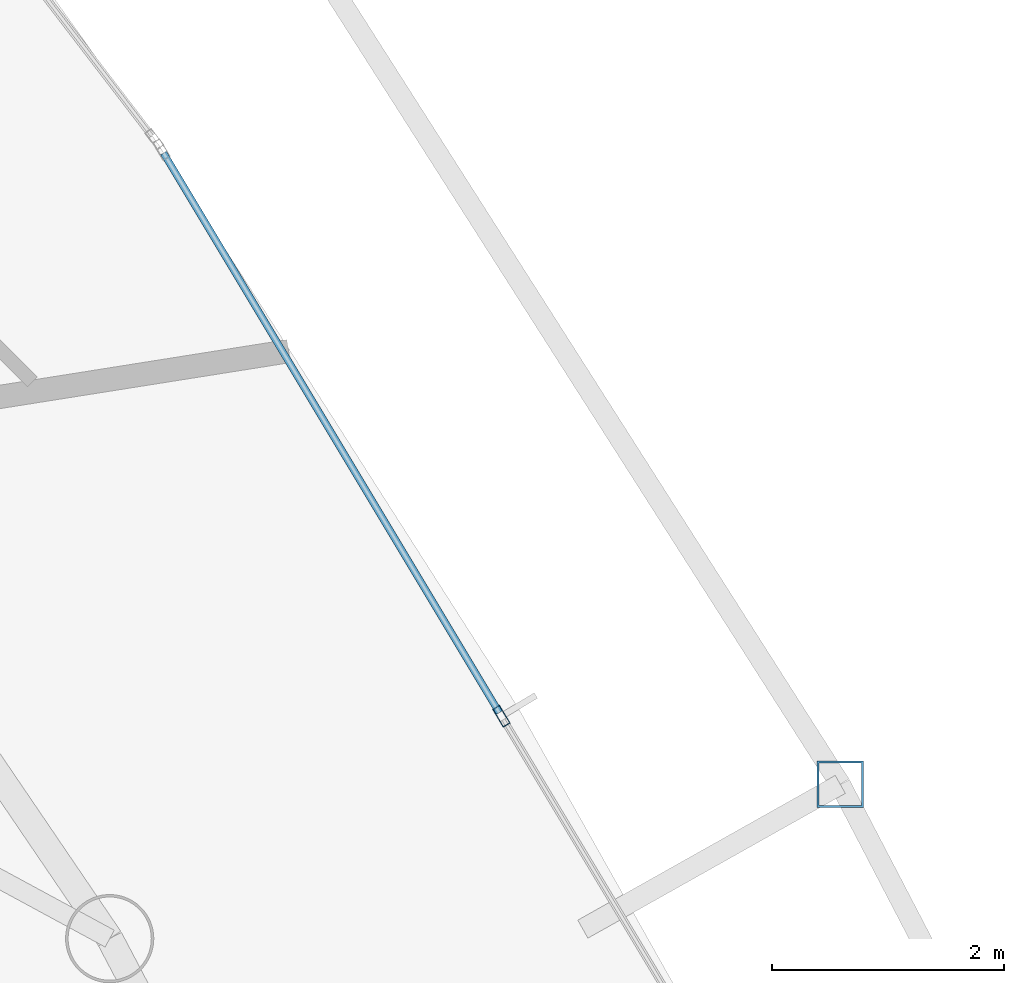
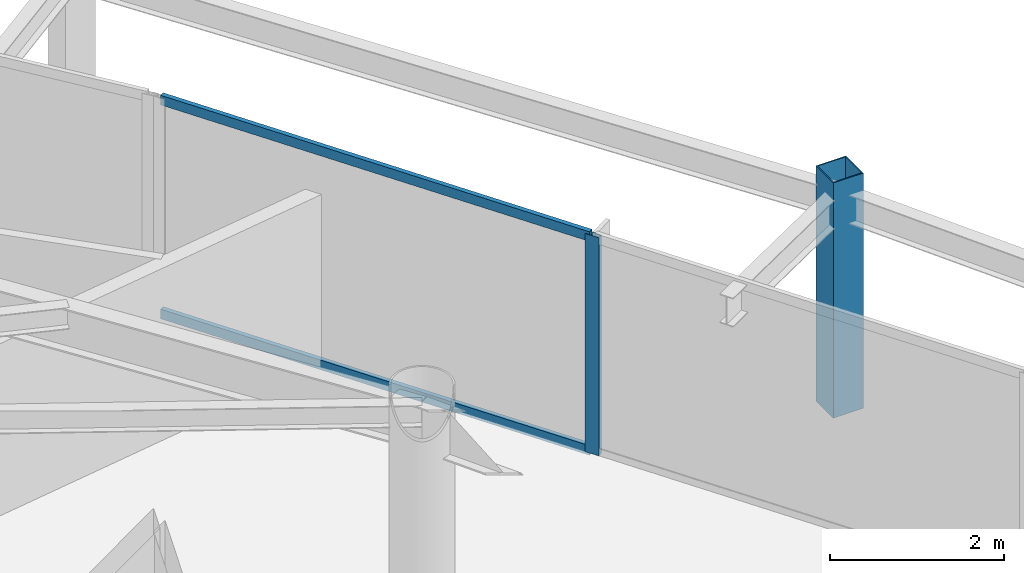
# One storey, part 18 of 33: 4 members, 1 element without a shape of its own.
"""IFC4 building model written with IfcOpenShell, lengths in metres."""

from ifc_helpers import new_model, si_unit, direction, frame, origin, origin_2d, place, context, subcontext, project, spatial, hollow_rectangle, extrude, material, layer, layer_set, material_profile, profile_set, type_object, element, aggregate, save


model = new_model("IFC4")

# Units and contexts
model_context = context("Model", 3, precision=1e-05, world=origin(), true_north=direction((0.0, 1.0)))
body_context = subcontext(model_context, "Body", "Model", "MODEL_VIEW")
ifc_project = project(units=[si_unit("LENGTHUNIT", "METRE"), si_unit("AREAUNIT", "SQUARE_METRE"), si_unit("VOLUMEUNIT", "CUBIC_METRE"), si_unit("PLANEANGLEUNIT", "RADIAN"), si_unit("MASSUNIT", "GRAM", prefix="KILO")], contexts=[model_context])

# Site, building, storey
site_placement = place(None, origin())
site = spatial("IfcSite", under=ifc_project, at=site_placement, CompositionType="ELEMENT")
building_placement = place(site_placement, origin())
building = spatial("IfcBuilding", under=site, at=building_placement, Name="Orvanel Arch Residences", CompositionType="ELEMENT")
storey_placement = place(building_placement, frame((0.0, 0.0, 119.89990234375)))
storey = spatial("IfcBuildingStorey", under=building, at=storey_placement, Name="L33", CompositionType="ELEMENT", Elevation=119.89990234375)

# Curtain wall, member
ifc_material_1 = material(Name="Bronze-anodised aluminium AA6063-T6", Category="aluminium")
ifc_layer = layer(ifc_material_1, 0.179931640625)
ifc_layer_set = layer_set([ifc_layer], Name="Bronze-anodised aluminium AA6063-T6")
curtain_wall_type = type_object("IfcCurtainWallType", Name="CW3-MID-SYS", PredefinedType="NOTDEFINED", material=ifc_layer_set)
curtain_wall_placement = place(storey_placement, origin())
curtain_wall = element("IfcCurtainWall", 1, at=curtain_wall_placement, inside=storey, type_object=curtain_wall_type, Name="L33 CW3-MID-SYS Unitised Curtain Wall", PredefinedType="NOTDEFINED")
ifc_material_profile_1 = material_profile(ifc_material_1, hollow_rectangle(XDim=0.070068359375, YDim=0.179931640625, WallThickness=0.00439453125, at=origin_2d()), Name="ALU180x70x4.5")
ifc_profile_set_1 = profile_set([ifc_material_profile_1], Name="Bronze-anodised aluminium AA6063-T6")
member_type_1 = type_object("IfcMemberType", Name="MUL-180x70", PredefinedType="MULLION", material=ifc_profile_set_1)
member_1_placement = place(storey_placement, frame((48.8134765625, 29.56201171875, 0.0), z_axis=(0.0, 0.0, 1.0), x_axis=(-0.857515978834, -0.514457331608, 0.0)))
member_1 = element("IfcMember", 2, at=member_1_placement, type_object=member_type_1, Name="CW-S3 mullion 2", PredefinedType="MULLION", context=body_context, shape_type="SweptSolid", body=[
    extrude(hollow_rectangle(XDim=0.070068359375, YDim=0.179931640625, WallThickness=0.00439453125, at=origin_2d()), origin(), (0.0, 0.0, 1.0), 3.06005859375),
])

# Member
ifc_material_2 = material(Name="Structural steel AS/NZS 1163 C450L0 (Grade 450)", Category="steel")
ifc_material_profile_2 = material_profile(ifc_material_2, hollow_rectangle(XDim=0.39990234375, YDim=0.39990234375, WallThickness=0.01611328125, at=origin_2d()), Name="SHS400x400x16")
ifc_profile_set_2 = profile_set([ifc_material_profile_2], Name="Structural steel AS/NZS 1163 C450L0 (Grade 450)")
member_type_2 = type_object("IfcMemberType", Name="ST-400SHS-EXT", PredefinedType="STRUT", material=ifc_profile_set_2)
member_2_placement = place(storey_placement, frame((51.739990234375, 28.972900390625, 0.0), z_axis=(0.0, 0.0, 1.0), x_axis=(1.0, 0.0, 0.0)))
element("IfcMember", 3, at=member_2_placement, inside=storey, type_object=member_type_2, Name="L33 Outer Perimeter Frame Post 10", PredefinedType="STRUT", context=body_context, shape_type="SweptSolid", body=[
    extrude(hollow_rectangle(XDim=0.39990234375, YDim=0.39990234375, WallThickness=0.01611328125, at=origin_2d()), origin(), (0.0, 0.0, 1.0), 3.300048828125),
])

ifc_material_profile_3 = material_profile(ifc_material_1, hollow_rectangle(XDim=0.06005859375, YDim=0.135009765625, WallThickness=0.00390625, at=origin_2d()), Name="ALU135x60x4")
ifc_profile_set_3 = profile_set([ifc_material_profile_3], Name="Bronze-anodised aluminium AA6063-T6")
member_type_3 = type_object("IfcMemberType", Name="TRN-135x60", PredefinedType="USERDEFINED", material=ifc_profile_set_3)
member_3_placement = place(storey_placement, frame((48.79541015625, 29.592041015625, 0.030029296875), z_axis=(-0.514444792144, 0.857523501623, 0.0), x_axis=(-0.857523501623, -0.514444792144, 0.0)))
member_3 = element("IfcMember", 4, at=member_3_placement, type_object=member_type_3, Name="CW-S3 transom 2.1", ObjectType="TRANSOM", PredefinedType="USERDEFINED", context=body_context, shape_type="SweptSolid", body=[
    extrude(hollow_rectangle(XDim=0.06005859375, YDim=0.135009765625, WallThickness=0.00390625, at=origin_2d()), origin(), (0.0, 0.0, 1.0), 5.635986328125),
])

member_4_placement = place(storey_placement, frame((48.79541015625, 29.592041015625, 3.030029296875), z_axis=(-0.514444792144, 0.857523501623, 0.0), x_axis=(-0.857523501623, -0.514444792144, 0.0)))
member_4 = element("IfcMember", 5, at=member_4_placement, type_object=member_type_3, Name="CW-S3 transom 2.2", ObjectType="TRANSOM", PredefinedType="USERDEFINED", context=body_context, shape_type="SweptSolid", body=[
    extrude(hollow_rectangle(XDim=0.06005859375, YDim=0.135009765625, WallThickness=0.00390625, at=origin_2d()), origin(), (0.0, 0.0, 1.0), 5.635986328125),
])

aggregate(curtain_wall, [member_1, member_3, member_4])

save(model, "model.ifc")
